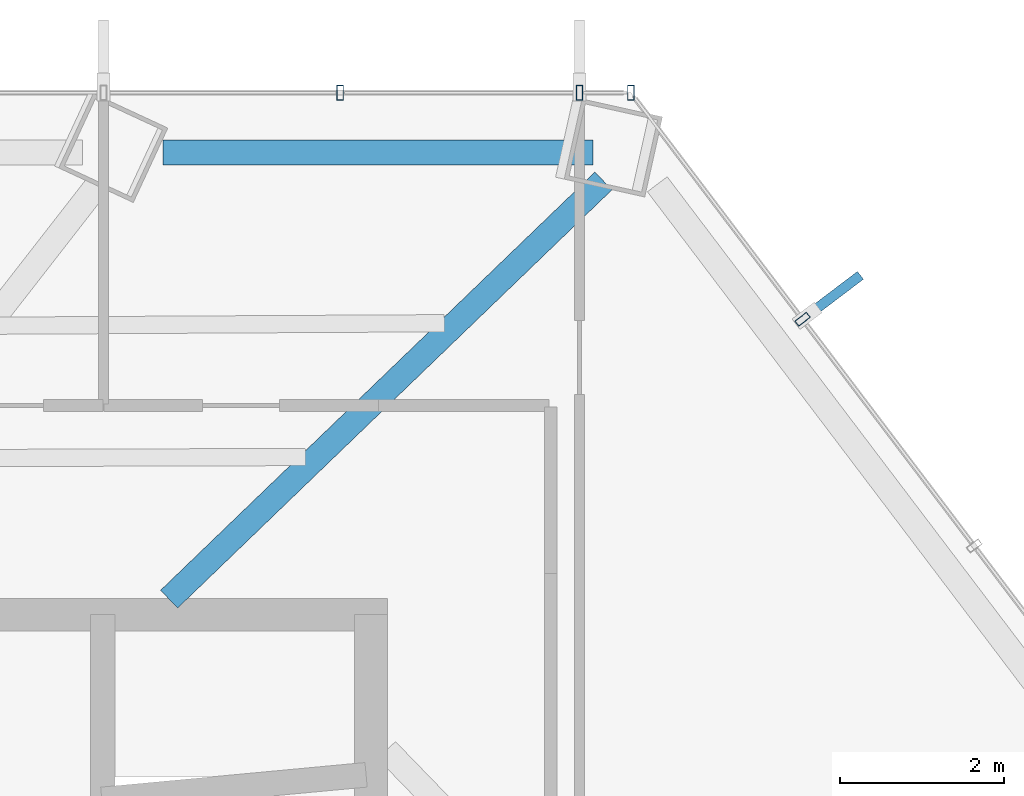
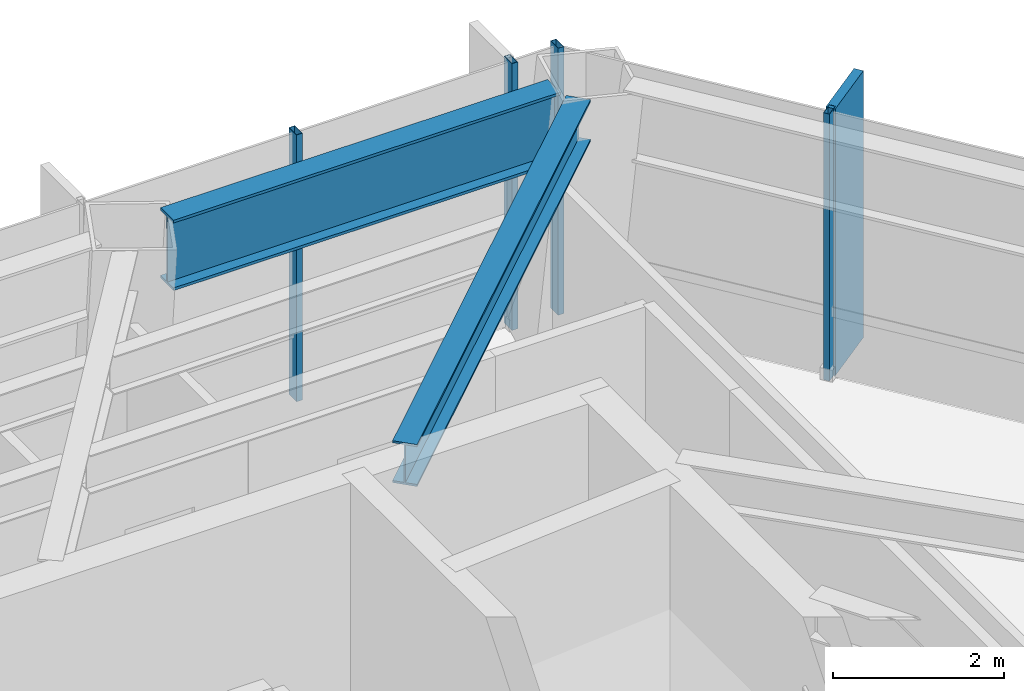
# One storey, part 18 of 24: 5 members, 2 beams, 2 elements without a shape of their own.
"""IFC4 building model written with IfcOpenShell, lengths in metres."""

from ifc_helpers import new_model, si_unit, direction, frame, origin, origin_2d, place, context, subcontext, project, spatial, rectangle, hollow_rectangle, i_section, extrude, material, layer, layer_set, material_profile, profile_set, type_object, element, aggregate, save


model = new_model("IFC4")

# Units and contexts
model_context = context("Model", 3, precision=1e-05, world=origin(), true_north=direction((0.0, 1.0)))
body_context = subcontext(model_context, "Body", "Model", "MODEL_VIEW")
ifc_project = project(units=[si_unit("LENGTHUNIT", "METRE"), si_unit("AREAUNIT", "SQUARE_METRE"), si_unit("VOLUMEUNIT", "CUBIC_METRE"), si_unit("PLANEANGLEUNIT", "RADIAN"), si_unit("MASSUNIT", "GRAM", prefix="KILO")], contexts=[model_context])

# Site, building, storey
site_placement = place(None, origin())
site = spatial("IfcSite", under=ifc_project, at=site_placement, CompositionType="ELEMENT")
building_placement = place(site_placement, origin())
building = spatial("IfcBuilding", under=site, at=building_placement, Name="Zarrinselat Tower", CompositionType="ELEMENT")
storey_placement = place(building_placement, frame((0.0, 0.0, 68.340087890625)))
storey = spatial("IfcBuildingStorey", under=building, at=storey_placement, Name="L16", CompositionType="ELEMENT", Elevation=68.340087890625)

# Beams
ifc_material_1 = material(Name="Steel S355J2", Category="steel")
ifc_material_profile_1 = material_profile(ifc_material_1, i_section(OverallWidth=0.300048828125, OverallDepth=0.60009765625, WebThickness=0.015380859375, FlangeThickness=0.030029296875, at=origin_2d()), Name="HEB 600")
ifc_profile_set_1 = profile_set([ifc_material_profile_1], Name="Steel S355J2")
beam_type_1 = type_object("IfcBeamType", Name="BM-HEB600", PredefinedType="BEAM", material=ifc_profile_set_1)
beam_1_placement = place(storey_placement, frame((45.800048828125, 43.639892578125, 3.52001953125), z_axis=(0.720341124178, 0.693619971467, 0.0), x_axis=(-0.693619971467, 0.720341124178, 0.0)))
element("IfcBeam", 1, at=beam_1_placement, inside=storey, type_object=beam_type_1, Name="L16 Radial Primary Girder RG01", PredefinedType="BEAM", context=body_context, shape_type="SweptSolid", body=[
    extrude(i_section(OverallWidth=0.300048828125, OverallDepth=0.60009765625, WebThickness=0.015380859375, FlangeThickness=0.030029296875, at=origin_2d()), origin(), (0.0, 0.0, 1.0), 7.345947265625),
])
ifc_material_2 = material(Name="Steel S460M", Category="steel")
ifc_material_profile_2 = material_profile(ifc_material_2, i_section(OverallWidth=0.302001953125, OverallDepth=1.008056640625, WebThickness=0.02099609375, FlangeThickness=0.0400390625, at=origin_2d()), Name="HEM 1000")
ifc_profile_set_2 = profile_set([ifc_material_profile_2], Name="Steel S460M")
beam_type_2 = type_object("IfcBeamType", Name="BM-HEM1000", PredefinedType="BEAM", material=ifc_profile_set_2)
beam_2_placement = place(storey_placement, frame((45.72314453125, 49.083251953125, 3.31591796875), z_axis=(1.0, 0.0, 0.0), x_axis=(0.0, 1.0, 0.0)))
element("IfcBeam", 2, at=beam_2_placement, inside=storey, type_object=beam_type_2, Name="L16 Perimeter Spandrel Girder SP01", PredefinedType="BEAM", context=body_context, shape_type="SweptSolid", body=[
    extrude(i_section(OverallWidth=0.302001953125, OverallDepth=1.008056640625, WebThickness=0.02099609375, FlangeThickness=0.0400390625, at=origin_2d()), origin(), (0.0, 0.0, 1.0), 5.241943359375),
])

# Curtain wall, members
ifc_material_3 = material(Name="Extruded Aluminium Alloy EN AW-6063 T6", Category="aluminium")
ifc_layer = layer(ifc_material_3, 0.18505859375)
ifc_layer_set = layer_set([ifc_layer], Name="Extruded Aluminium Alloy EN AW-6063 T6")
curtain_wall_type = type_object("IfcCurtainWallType", Name="CWS-OFF", PredefinedType="NOTDEFINED", material=ifc_layer_set)
curtain_wall_1_placement = place(storey_placement, origin())
curtain_wall_1 = element("IfcCurtainWall", 3, at=curtain_wall_1_placement, inside=storey, type_object=curtain_wall_type, Name="L16 Unitised Curtain Wall CW-L16-E02", PredefinedType="NOTDEFINED")
ifc_material_4 = material(Name="Extruded Aluminium Alloy EN AW-6063 T6", Category="aluminium")
ifc_material_profile_3 = material_profile(ifc_material_4, hollow_rectangle(XDim=0.080078125, YDim=0.179931640625, WallThickness=0.0048828125, at=origin_2d()), Name="RHS 180x80x5")
ifc_profile_set_3 = profile_set([ifc_material_profile_3], Name="Extruded Aluminium Alloy EN AW-6063 T6")
member_type_1 = type_object("IfcMemberType", Name="MEM-CW-MUL", PredefinedType="MULLION", material=ifc_profile_set_3)
member_1_placement = place(storey_placement, frame((47.884521484375, 49.81103515625, 0.0), z_axis=(0.0, 0.0, 1.0), x_axis=(1.0, 0.0, 0.0)))
member_1 = element("IfcMember", 4, at=member_1_placement, type_object=member_type_1, Name="CW-L16-E02 Mullion 6", PredefinedType="MULLION", context=body_context, shape_type="SweptSolid", body=[
    extrude(hollow_rectangle(XDim=0.080078125, YDim=0.179931640625, WallThickness=0.0048828125, at=origin_2d()), origin(), (0.0, 0.0, 1.0), 3.81982421875),
])
member_2_placement = place(storey_placement, frame((50.800048828125, 49.81103515625, 0.0), z_axis=(0.0, 0.0, 1.0), x_axis=(1.0, 0.0, 0.0)))
member_2 = element("IfcMember", 5, at=member_2_placement, type_object=member_type_1, Name="CW-L16-E02 Mullion 7", PredefinedType="MULLION", context=body_context, shape_type="SweptSolid", body=[
    extrude(hollow_rectangle(XDim=0.080078125, YDim=0.179931640625, WallThickness=0.0048828125, at=origin_2d()), origin(), (0.0, 0.0, 1.0), 3.81982421875),
])
member_3_placement = place(storey_placement, frame((51.42578125, 49.81103515625, 0.0), z_axis=(0.0, 0.0, 1.0), x_axis=(1.0, 0.0, 0.0)))
member_3 = element("IfcMember", 6, at=member_3_placement, type_object=member_type_1, Name="CW-L16-E02 Mullion 8", PredefinedType="MULLION", context=body_context, shape_type="SweptSolid", body=[
    extrude(hollow_rectangle(XDim=0.080078125, YDim=0.179931640625, WallThickness=0.0048828125, at=origin_2d()), origin(), (0.0, 0.0, 1.0), 3.81982421875),
])
aggregate(curtain_wall_1, [member_1, member_2, member_3])

curtain_wall_2_placement = place(storey_placement, origin())
curtain_wall_2 = element("IfcCurtainWall", 7, at=curtain_wall_2_placement, inside=storey, type_object=curtain_wall_type, Name="L16 Unitised Curtain Wall CW-L16-E03", PredefinedType="NOTDEFINED")
member_4_placement = place(storey_placement, frame((53.517333984375, 47.050537109375, 0.0), z_axis=(0.0, 0.0, 1.0), x_axis=(0.603859800485, -0.797090547779, 0.0)))
member_4 = element("IfcMember", 8, at=member_4_placement, type_object=member_type_1, Name="CW-L16-E03 Mullion 1", PredefinedType="MULLION", context=body_context, shape_type="SweptSolid", body=[
    extrude(hollow_rectangle(XDim=0.080078125, YDim=0.179931640625, WallThickness=0.0048828125, at=origin_2d()), origin(), (0.0, 0.0, 1.0), 3.81982421875),
])
ifc_material_5 = material(Name="Honed Cream Travertine Stone", Category="masonry")
ifc_material_profile_4 = material_profile(ifc_material_5, rectangle(XDim=0.1201171875, YDim=0.85009765625, at=origin_2d()), Name="FIN 850x120")
ifc_profile_set_4 = profile_set([ifc_material_profile_4], Name="Honed Cream Travertine Stone")
member_type_2 = type_object("IfcMemberType", Name="MEM-STONE-FIN", PredefinedType="USERDEFINED", material=ifc_profile_set_4)
member_5_placement = place(storey_placement, frame((53.884033203125, 47.328369140625, 0.0), z_axis=(0.0, 0.0, 1.0), x_axis=(0.603859800485, -0.797090547779, 0.0)))
member_5 = element("IfcMember", 9, at=member_5_placement, type_object=member_type_2, Name="L16 Stone Shading Fin CW-L16-E03-01", ObjectType="FIN", PredefinedType="USERDEFINED", context=body_context, shape_type="SweptSolid", body=[
    extrude(rectangle(XDim=0.1201171875, YDim=0.85009765625, at=origin_2d()), origin(), (0.0, 0.0, 1.0), 3.81982421875),
])
aggregate(curtain_wall_2, [member_4, member_5])

save(model, "model.ifc")
